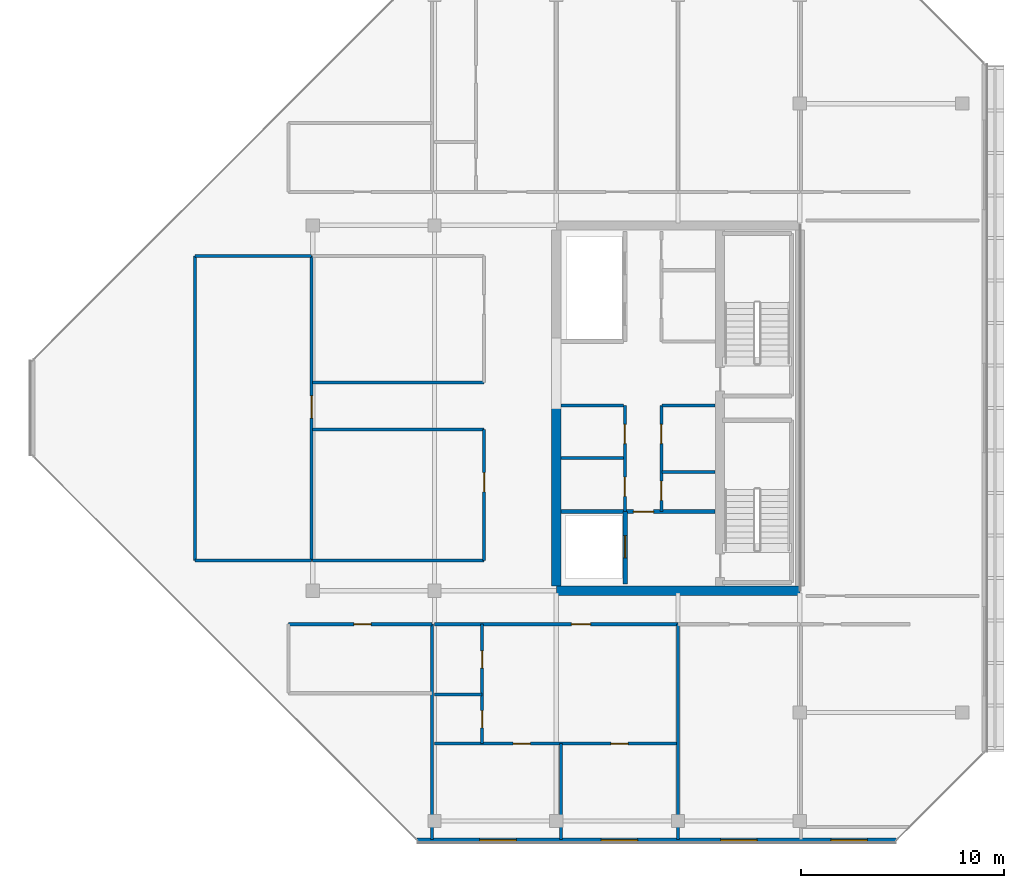
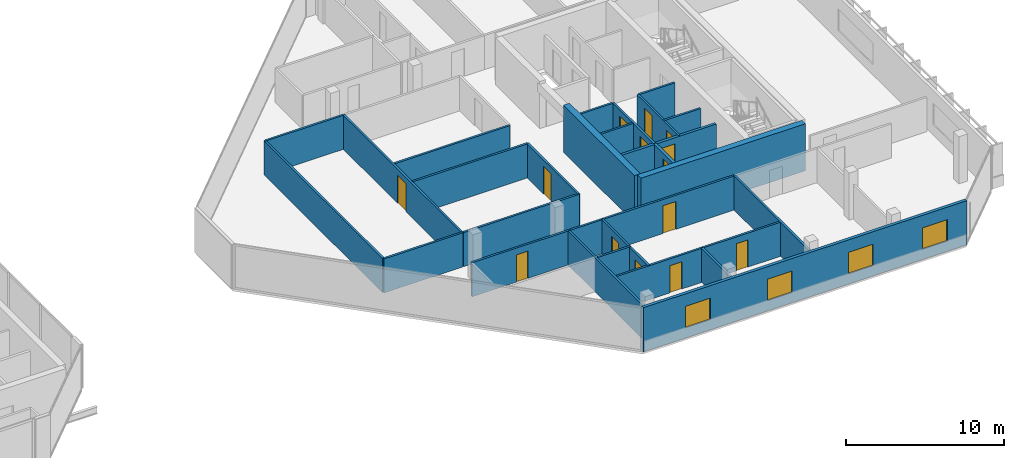
# One storey, part 22 of 28: 27 walls, 14 doors, 4 windows, 18 openings.
"""IFC4 building model written with IfcOpenShell, lengths in metres."""

from ifc_helpers import new_model, si_unit, direction, frame, frame_2d, origin, place, context, subcontext, project, spatial, rectangle, extrude, material, layer, layer_set, type_object, element, fill, save


model = new_model("IFC4")

# Units and contexts
model_context = context("Model", 3, precision=1e-05, world=origin(), true_north=direction((0.0, 1.0)))
body_context = subcontext(model_context, "Body", "Model", "MODEL_VIEW")
ifc_project = project(units=[si_unit("LENGTHUNIT", "METRE"), si_unit("AREAUNIT", "SQUARE_METRE"), si_unit("VOLUMEUNIT", "CUBIC_METRE"), si_unit("PLANEANGLEUNIT", "RADIAN"), si_unit("MASSUNIT", "GRAM", prefix="KILO")], contexts=[model_context])

# Site, building, storey
site_placement = place(None, origin())
site = spatial("IfcSite", under=ifc_project, at=site_placement, CompositionType="ELEMENT")
building_placement = place(site_placement, origin())
building = spatial("IfcBuilding", under=site, at=building_placement, Name="Tanjung Sevakor Pilgrim Tower", CompositionType="ELEMENT")
storey_placement = place(building_placement, frame((0.0, 0.0, 246.179931640625)))
storey = spatial("IfcBuildingStorey", under=building, at=storey_placement, Name="L69", CompositionType="ELEMENT", Elevation=246.179931640625)

# Walls
ifc_material_1 = material(Name="Concrete C60/75", Category="concrete")
ifc_layer_1 = layer(ifc_material_1, 0.449951171875)
ifc_layer_set_1 = layer_set([ifc_layer_1], Name="WALL-CW-450")
wall_type_1 = type_object("IfcWallType", Name="WALL-CW-450", PredefinedType="SHEAR", material=ifc_layer_set_1)
wall_1_placement = place(storey_placement, frame((78.0, 24.60009765625, 0.0), z_axis=(0.0, 0.0, 1.0), x_axis=(1.0, 0.0, 0.0)))
element("IfcWall", 1, at=wall_1_placement, inside=storey, type_object=wall_type_1, Name="L69 E Core South Shear Wall", PredefinedType="SHEAR", context=body_context, shape_type="SweptSolid", body=[
    extrude(rectangle(XDim=12.0, YDim=0.449951171875, at=frame_2d((6.0, 0.0))), origin(), (0.0, 0.0, 1.0), 3.630126953125),
])
wall_2_placement = place(storey_placement, frame((78.0, 24.824951171875, 0.0), z_axis=(0.0, 0.0, 1.0), x_axis=(0.0, 1.0, 0.0)))
element("IfcWall", 2, at=wall_2_placement, inside=storey, type_object=wall_type_1, Name="L69 E Core Inner Shear Wall South", PredefinedType="SHEAR", context=body_context, shape_type="SweptSolid", body=[
    extrude(rectangle(XDim=8.97509765625, YDim=0.449951171875, at=frame_2d((4.487548828125, 0.0))), origin(), (0.0, 0.0, 1.0), 3.630126953125),
])
ifc_material_2 = material(Name="Concrete C40/50", Category="concrete")
ifc_layer_2 = layer(ifc_material_2, 0.14990234375)
ifc_layer_set_2 = layer_set([ifc_layer_2], Name="WT-COMP-150")
wall_type_2 = type_object("IfcWallType", Name="WT-COMP-150", PredefinedType="SOLIDWALL", material=ifc_layer_set_2)
for number, where, z_axis, x_axis, name in (
    (3, (83.199951171875, 30.449951171875, 0.0), (0.0, 0.0, 1.0), (1.0, 0.0, 0.0), "L69 Partition IW-L69-016"),
    (4, (83.199951171875, 33.719970703125, 0.0), (0.0, 0.0, 1.0), (1.0, 0.0, 0.0), "L69 Partition IW-L69-017"),
):
    element("IfcWall", number, at=place(storey_placement, frame(where, z_axis=z_axis, x_axis=x_axis)), inside=storey, type_object=wall_type_2, Name=name, PredefinedType="SOLIDWALL", context=body_context, shape_type="SweptSolid", body=[
        extrude(rectangle(XDim=2.630126953125, YDim=0.14990234375, at=frame_2d((1.31494140625, 0.0))), origin(), (0.0, 0.0, 1.0), 2.6298828125),
    ])

# Wall, openings, doors
wall_3_placement = place(storey_placement, frame((83.179931640625, 28.5, 0.0), z_axis=(0.0, 0.0, 1.0), x_axis=(0.0, 1.0, 0.0)))
wall_3 = element("IfcWall", 5, at=wall_3_placement, inside=storey, type_object=wall_type_2, Name="L69 Partition IW-L69-018", PredefinedType="SOLIDWALL", context=body_context, shape_type="SweptSolid", body=[
    extrude(rectangle(XDim=5.219970703125, YDim=0.14990234375, at=frame_2d((2.60986328125, 0.0))), origin(), (0.0, 0.0, 1.0), 2.6298828125),
])
opening_1_placement = place(wall_3_placement, frame((0.550048828125, 0.0, 0.0)))
opening_1 = element("IfcOpeningElement", 6, at=opening_1_placement, cuts=wall_3, Name="Opening ID-FD2", PredefinedType="OPENING", context=body_context, shape_type="SweptSolid", body=[
    extrude(rectangle(XDim=0.949951171875, YDim=2.14990234375, at=frame_2d((0.47509765625, 1.074951171875))), frame((0.0, 0.0849609375, 0.0), z_axis=(0.0, -1.0, 0.0), x_axis=(1.0, 0.0, 0.0)), (0.0, 0.0, 1.0), 0.169921875),
])
opening_2_placement = place(wall_3_placement, frame((3.35009765625, 0.0, 0.0)))
opening_2 = element("IfcOpeningElement", 7, at=opening_2_placement, cuts=wall_3, Name="Opening ID-FD2", PredefinedType="OPENING", context=body_context, shape_type="SweptSolid", body=[
    extrude(rectangle(XDim=0.949951171875, YDim=2.14990234375, at=frame_2d((0.47509765625, 1.074951171875))), frame((0.0, 0.0849609375, 0.0), z_axis=(0.0, -1.0, 0.0), x_axis=(1.0, 0.0, 0.0)), (0.0, 0.0, 1.0), 0.169921875),
])
ifc_material_3 = material(Name="Fire-Rated Timber", Category="wood")
door_type_1 = type_object("IfcDoorType", Name="DT-FIRE-950", OperationType="NOTDEFINED", PredefinedType="DOOR", material=ifc_material_3)
door_1_placement = place(opening_1_placement, origin())
door_1 = element("IfcDoor", 8, at=door_1_placement, inside=storey, type_object=door_type_1, Name="L69 Cleaner Store Door", OperationType="SINGLE_SWING_LEFT", OverallHeight=2.14990234375, OverallWidth=0.949951171875, PredefinedType="DOOR", context=body_context, shape_type="SweptSolid", body=[
    extrude(rectangle(XDim=0.949951171875, YDim=2.14990234375, at=frame_2d((0.47509765625, 1.074951171875))), frame((0.0, 0.02490234375, 0.0), z_axis=(0.0, -1.0, 0.0), x_axis=(1.0, 0.0, 0.0)), (0.0, 0.0, 1.0), 0.050048828125),
])
fill(opening_1, door_1)
door_2_placement = place(opening_2_placement, origin())
door_2 = element("IfcDoor", 9, at=door_2_placement, inside=storey, type_object=door_type_1, Name="L69 Housekeeping Pantry Door", OperationType="SINGLE_SWING_RIGHT", OverallHeight=2.14990234375, OverallWidth=0.949951171875, PredefinedType="DOOR", context=body_context, shape_type="SweptSolid", body=[
    extrude(rectangle(XDim=0.949951171875, YDim=2.14990234375, at=frame_2d((0.47509765625, 1.074951171875))), frame((0.0, 0.02490234375, 0.0), z_axis=(0.0, -1.0, 0.0), x_axis=(1.0, 0.0, 0.0)), (0.0, 0.0, 1.0), 0.050048828125),
])
fill(opening_2, door_2)

# Walls
for number, where, z_axis, x_axis, name in (
    (10, (78.2451171875, 31.14990234375, 0.0), (0.0, 0.0, 1.0), (1.0, 0.0, 0.0), "L69 Partition IW-L69-019"),
    (11, (78.2451171875, 33.719970703125, 0.0), (0.0, 0.0, 1.0), (1.0, 0.0, 0.0), "L69 Partition IW-L69-020"),
):
    element("IfcWall", number, at=place(storey_placement, frame(where, z_axis=z_axis, x_axis=x_axis)), inside=storey, type_object=wall_type_2, Name=name, PredefinedType="SOLIDWALL", context=body_context, shape_type="SweptSolid", body=[
        extrude(rectangle(XDim=3.074951171875, YDim=0.14990234375, at=frame_2d((1.53759765625, 0.0))), origin(), (0.0, 0.0, 1.0), 2.6298828125),
    ])

# Wall, openings, doors
wall_4_placement = place(storey_placement, frame((81.3798828125, 28.5, 0.0), z_axis=(0.0, 0.0, 1.0), x_axis=(0.0, 1.0, 0.0)))
wall_4 = element("IfcWall", 12, at=wall_4_placement, inside=storey, type_object=wall_type_2, Name="L69 Partition IW-L69-021", PredefinedType="SOLIDWALL", context=body_context, shape_type="SweptSolid", body=[
    extrude(rectangle(XDim=5.219970703125, YDim=0.14990234375, at=frame_2d((2.60986328125, 0.0))), origin(), (0.0, 0.0, 1.0), 2.6298828125),
])
opening_3_placement = place(wall_4_placement, frame((0.75, 0.0, 0.0)))
opening_3 = element("IfcOpeningElement", 13, at=opening_3_placement, cuts=wall_4, Name="Opening ID-FD2", PredefinedType="OPENING", context=body_context, shape_type="SweptSolid", body=[
    extrude(rectangle(XDim=0.949951171875, YDim=2.14990234375, at=frame_2d((0.47509765625, 1.074951171875))), frame((0.0, 0.0849609375, 0.0), z_axis=(0.0, -1.0, 0.0), x_axis=(1.0, 0.0, 0.0)), (0.0, 0.0, 1.0), 0.169921875),
])
opening_4_placement = place(wall_4_placement, frame((3.35009765625, 0.0, 0.0)))
opening_4 = element("IfcOpeningElement", 14, at=opening_4_placement, cuts=wall_4, Name="Opening ID-FD2", PredefinedType="OPENING", context=body_context, shape_type="SweptSolid", body=[
    extrude(rectangle(XDim=0.949951171875, YDim=2.14990234375, at=frame_2d((0.47509765625, 1.074951171875))), frame((0.0, 0.0849609375, 0.0), z_axis=(0.0, -1.0, 0.0), x_axis=(1.0, 0.0, 0.0)), (0.0, 0.0, 1.0), 0.169921875),
])
door_3_placement = place(opening_3_placement, origin())
door_3 = element("IfcDoor", 15, at=door_3_placement, inside=storey, type_object=door_type_1, Name="L69 Accessible WC Door", OperationType="SINGLE_SWING_LEFT", OverallHeight=2.14990234375, OverallWidth=0.949951171875, PredefinedType="DOOR", context=body_context, shape_type="SweptSolid", body=[
    extrude(rectangle(XDim=0.949951171875, YDim=2.14990234375, at=frame_2d((0.47509765625, 1.074951171875))), frame((0.0, 0.02490234375, 0.0), z_axis=(0.0, -1.0, 0.0), x_axis=(1.0, 0.0, 0.0)), (0.0, 0.0, 1.0), 0.050048828125),
])
fill(opening_3, door_3)
door_4_placement = place(opening_4_placement, origin())
door_4 = element("IfcDoor", 16, at=door_4_placement, inside=storey, type_object=door_type_1, Name="L69 Core Service Door", OperationType="SINGLE_SWING_RIGHT", OverallHeight=2.14990234375, OverallWidth=0.949951171875, PredefinedType="DOOR", context=body_context, shape_type="SweptSolid", body=[
    extrude(rectangle(XDim=0.949951171875, YDim=2.14990234375, at=frame_2d((0.47509765625, 1.074951171875))), frame((0.0, 0.02490234375, 0.0), z_axis=(0.0, -1.0, 0.0), x_axis=(1.0, 0.0, 0.0)), (0.0, 0.0, 1.0), 0.050048828125),
])
fill(opening_4, door_4)

# Wall, opening, door
wall_5_placement = place(storey_placement, frame((64.800048828125, 22.949951171875, 0.0), z_axis=(0.0, 0.0, 1.0), x_axis=(1.0, 0.0, 0.0)))
wall_5 = element("IfcWall", 17, at=wall_5_placement, inside=storey, type_object=wall_type_2, Name="L69 Partition IW-L69-036", PredefinedType="SOLIDWALL", context=body_context, shape_type="SweptSolid", body=[
    extrude(rectangle(XDim=7.079833984375, YDim=0.14990234375, at=frame_2d((3.5400390625, 0.0))), origin(), (0.0, 0.0, 1.0), 2.6298828125),
])
opening_5_placement = place(wall_5_placement, frame((3.22509765625, 0.0, 0.0)))
opening_5 = element("IfcOpeningElement", 18, at=opening_5_placement, cuts=wall_5, Name="Opening ID-WC1", PredefinedType="OPENING", context=body_context, shape_type="SweptSolid", body=[
    extrude(rectangle(XDim=0.85009765625, YDim=2.10009765625, at=frame_2d((0.425048828125, 1.050048828125))), frame((0.0, 0.0849609375, 0.0), z_axis=(0.0, -1.0, 0.0), x_axis=(1.0, 0.0, 0.0)), (0.0, 0.0, 1.0), 0.169921875),
])
ifc_material_4 = material(Name="Moisture-Resistant Timber", Category="wood")
door_type_2 = type_object("IfcDoorType", Name="DT-INT-850", OperationType="NOTDEFINED", PredefinedType="DOOR", material=ifc_material_4)
door_5_placement = place(opening_5_placement, origin())
door_5 = element("IfcDoor", 19, at=door_5_placement, inside=storey, type_object=door_type_2, Name="L69 SW Crown Suite Door", OperationType="SINGLE_SWING_RIGHT", OverallHeight=2.10009765625, OverallWidth=0.85009765625, PredefinedType="DOOR", context=body_context, shape_type="SweptSolid", body=[
    extrude(rectangle(XDim=0.85009765625, YDim=2.10009765625, at=frame_2d((0.425048828125, 1.050048828125))), frame((0.0, 0.02490234375, 0.0), z_axis=(0.0, -1.0, 0.0), x_axis=(1.0, 0.0, 0.0)), (0.0, 0.0, 1.0), 0.050048828125),
])
fill(opening_5, door_5)

# Walls
for number, where, z_axis, x_axis, name in (
    (20, (71.8798828125, 12.340087890625, 0.0), (0.0, 0.0, 1.0), (0.0, 1.0, 0.0), "L69 Partition IW-L69-038"),
    (21, (84.0, 12.340087890625, 0.0), (0.0, 0.0, 1.0), (0.0, 1.0, 0.0), "L69 Partition IW-L69-051"),
):
    element("IfcWall", number, at=place(storey_placement, frame(where, z_axis=z_axis, x_axis=x_axis)), inside=storey, type_object=wall_type_2, Name=name, PredefinedType="SOLIDWALL", context=body_context, shape_type="SweptSolid", body=[
        extrude(rectangle(XDim=10.60986328125, YDim=0.14990234375, at=frame_2d((5.304931640625, 0.0))), origin(), (0.0, 0.0, 1.0), 2.6298828125),
    ])

# Wall, opening, door
wall_6_placement = place(storey_placement, frame((72.0, 22.949951171875, 0.0), z_axis=(0.0, 0.0, 1.0), x_axis=(1.0, 0.0, 0.0)))
wall_6 = element("IfcWall", 22, at=wall_6_placement, inside=storey, type_object=wall_type_2, Name="L69 Partition IW-L69-056", PredefinedType="SOLIDWALL", context=body_context, shape_type="SweptSolid", body=[
    extrude(rectangle(XDim=12.0, YDim=0.14990234375, at=frame_2d((6.0, 0.0))), origin(), (0.0, 0.0, 1.0), 2.6298828125),
])
opening_6_placement = place(wall_6_placement, frame((6.739990234375, 0.0, 0.0)))
opening_6 = element("IfcOpeningElement", 23, at=opening_6_placement, cuts=wall_6, Name="Opening ID-FD2", PredefinedType="OPENING", context=body_context, shape_type="SweptSolid", body=[
    extrude(rectangle(XDim=0.949951171875, YDim=2.14990234375, at=frame_2d((0.47509765625, 1.074951171875))), frame((0.0, 0.0849609375, 0.0), z_axis=(0.0, -1.0, 0.0), x_axis=(1.0, 0.0, 0.0)), (0.0, 0.0, 1.0), 0.169921875),
])
door_6_placement = place(opening_6_placement, origin())
door_6 = element("IfcDoor", 24, at=door_6_placement, inside=storey, type_object=door_type_1, Name="Suite Entrance", OperationType="SINGLE_SWING_LEFT", OverallHeight=2.14990234375, OverallWidth=0.949951171875, PredefinedType="DOOR", context=body_context, shape_type="SweptSolid", body=[
    extrude(rectangle(XDim=0.949951171875, YDim=2.14990234375, at=frame_2d((0.47509765625, 1.074951171875))), frame((0.0, 0.02490234375, 0.0), z_axis=(0.0, -1.0, 0.0), x_axis=(1.0, 0.0, 0.0)), (0.0, 0.0, 1.0), 0.050048828125),
])
fill(opening_6, door_6)

# Walls
for number, where, z_axis, x_axis, name in (
    (25, (60.199951171875, 26.10009765625, 0.0), (0.0, 0.0, 1.0), (1.0, 0.0, 0.0), "L69 Partition IW-L69-065"),
    (26, (60.199951171875, 41.10009765625, 0.0), (0.0, 0.0, 1.0), (1.0, 0.0, 0.0), "L69 Partition IW-L69-066"),
):
    element("IfcWall", number, at=place(storey_placement, frame(where, z_axis=z_axis, x_axis=x_axis)), inside=storey, type_object=wall_type_2, Name=name, PredefinedType="SOLIDWALL", context=body_context, shape_type="SweptSolid", body=[
        extrude(rectangle(XDim=5.75, YDim=0.14990234375, at=frame_2d((2.875, 0.0))), origin(), (0.0, 0.0, 1.0), 2.6298828125),
    ])
wall_7_placement = place(storey_placement, frame((60.199951171875, 26.10009765625, 0.0), z_axis=(0.0, 0.0, 1.0), x_axis=(0.0, 1.0, 0.0)))
element("IfcWall", 27, at=wall_7_placement, inside=storey, type_object=wall_type_2, Name="L69 Partition IW-L69-067", PredefinedType="SOLIDWALL", context=body_context, shape_type="SweptSolid", body=[
    extrude(rectangle(XDim=15.0, YDim=0.14990234375, at=frame_2d((7.5, 0.0))), origin(), (0.0, 0.0, 1.0), 2.6298828125),
])

# Wall, opening, door
wall_8_placement = place(storey_placement, frame((65.949951171875, 26.10009765625, 0.0), z_axis=(0.0, 0.0, 1.0), x_axis=(0.0, 1.0, 0.0)))
wall_8 = element("IfcWall", 28, at=wall_8_placement, inside=storey, type_object=wall_type_2, Name="L69 Partition IW-L69-068", PredefinedType="SOLIDWALL", context=body_context, shape_type="SweptSolid", body=[
    extrude(rectangle(XDim=15.0, YDim=0.14990234375, at=frame_2d((7.5, 0.0))), origin(), (0.0, 0.0, 1.0), 2.6298828125),
])
opening_7_placement = place(wall_8_placement, frame((7.0, 0.0, 0.0)))
opening_7 = element("IfcOpeningElement", 29, at=opening_7_placement, cuts=wall_8, Name="Opening ID-RM2", PredefinedType="OPENING", context=body_context, shape_type="SweptSolid", body=[
    extrude(rectangle(XDim=1.10009765625, YDim=2.14990234375, at=frame_2d((0.550048828125, 1.074951171875))), frame((0.0, 0.0849609375, 0.0), z_axis=(0.0, -1.0, 0.0), x_axis=(1.0, 0.0, 0.0)), (0.0, 0.0, 1.0), 0.169921875),
])
ifc_material_5 = material(Name="Hardwood Timber", Category="wood")
door_type_3 = type_object("IfcDoorType", Name="DT-INT-1100", OperationType="NOTDEFINED", PredefinedType="DOOR", material=ifc_material_5)
door_7_placement = place(opening_7_placement, origin())
door_7 = element("IfcDoor", 30, at=door_7_placement, inside=storey, type_object=door_type_3, Name="L69 West Cleft Sanctuary Door", OperationType="SINGLE_SWING_RIGHT", OverallHeight=2.14990234375, OverallWidth=1.10009765625, PredefinedType="DOOR", context=body_context, shape_type="SweptSolid", body=[
    extrude(rectangle(XDim=1.10009765625, YDim=2.14990234375, at=frame_2d((0.550048828125, 1.074951171875))), frame((0.0, 0.02490234375, 0.0), z_axis=(0.0, -1.0, 0.0), x_axis=(1.0, 0.0, 0.0)), (0.0, 0.0, 1.0), 0.050048828125),
])
fill(opening_7, door_7)

# Walls
for number, where, z_axis, x_axis, name in (
    (31, (66.0, 26.10009765625, 0.0), (0.0, 0.0, 1.0), (1.0, 0.0, 0.0), "L69 Partition IW-L69-069"),
    (32, (66.0, 32.550048828125, 0.0), (0.0, 0.0, 1.0), (1.0, 0.0, 0.0), "L69 Partition IW-L69-070"),
):
    element("IfcWall", number, at=place(storey_placement, frame(where, z_axis=z_axis, x_axis=x_axis)), inside=storey, type_object=wall_type_2, Name=name, PredefinedType="SOLIDWALL", context=body_context, shape_type="SweptSolid", body=[
        extrude(rectangle(XDim=8.449951171875, YDim=0.14990234375, at=frame_2d((4.22509765625, 0.0))), origin(), (0.0, 0.0, 1.0), 2.6298828125),
    ])

# Wall, opening, door
wall_9_placement = place(storey_placement, frame((74.449951171875, 26.10009765625, 0.0), z_axis=(0.0, 0.0, 1.0), x_axis=(0.0, 1.0, 0.0)))
wall_9 = element("IfcWall", 33, at=wall_9_placement, inside=storey, type_object=wall_type_2, Name="L69 Partition IW-L69-071", PredefinedType="SOLIDWALL", context=body_context, shape_type="SweptSolid", body=[
    extrude(rectangle(XDim=6.449951171875, YDim=0.14990234375, at=frame_2d((3.22509765625, 0.0))), origin(), (0.0, 0.0, 1.0), 2.6298828125),
])
opening_8_placement = place(wall_9_placement, frame((3.375, 0.0, 0.0)))
opening_8 = element("IfcOpeningElement", 34, at=opening_8_placement, cuts=wall_9, Name="Opening ID-RM1", PredefinedType="OPENING", context=body_context, shape_type="SweptSolid", body=[
    extrude(rectangle(XDim=0.949951171875, YDim=2.14990234375, at=frame_2d((0.47509765625, 1.074951171875))), frame((0.0, 0.0849609375, 0.0), z_axis=(0.0, -1.0, 0.0), x_axis=(1.0, 0.0, 0.0)), (0.0, 0.0, 1.0), 0.169921875),
])
ifc_material_6 = material(Name="Hardwood Timber", Category="wood")
door_type_4 = type_object("IfcDoorType", Name="DT-INT-950", OperationType="NOTDEFINED", PredefinedType="DOOR", material=ifc_material_6)
door_8_placement = place(opening_8_placement, origin())
door_8 = element("IfcDoor", 35, at=door_8_placement, inside=storey, type_object=door_type_4, Name="L69 East Peak Seminar Door", OperationType="SINGLE_SWING_LEFT", OverallHeight=2.14990234375, OverallWidth=0.949951171875, PredefinedType="DOOR", context=body_context, shape_type="SweptSolid", body=[
    extrude(rectangle(XDim=0.949951171875, YDim=2.14990234375, at=frame_2d((0.47509765625, 1.074951171875))), frame((0.0, 0.02490234375, 0.0), z_axis=(0.0, -1.0, 0.0), x_axis=(1.0, 0.0, 0.0)), (0.0, 0.0, 1.0), 0.050048828125),
])
fill(opening_8, door_8)

# Wall
wall_10_placement = place(storey_placement, frame((66.0, 34.85009765625, 0.0), z_axis=(0.0, 0.0, 1.0), x_axis=(1.0, 0.0, 0.0)))
element("IfcWall", 36, at=wall_10_placement, inside=storey, type_object=wall_type_2, Name="L69 Partition IW-L69-072", PredefinedType="SOLIDWALL", context=body_context, shape_type="SweptSolid", body=[
    extrude(rectangle(XDim=8.449951171875, YDim=0.14990234375, at=frame_2d((4.22509765625, 0.0))), origin(), (0.0, 0.0, 1.0), 2.6298828125),
])

# Wall, openings, windows
ifc_material_7 = material(Name="Precast concrete C45/55", Category="concrete")
ifc_layer_3 = layer(ifc_material_7, 0.219970703125)
ifc_layer_set_3 = layer_set([ifc_layer_3], Name="WT-EW-STN4")
wall_type_3 = type_object("IfcWallType", Name="WT-EW-STN4", PredefinedType="SOLIDWALL", material=ifc_layer_set_3)
wall_11_placement = place(storey_placement, frame((71.1455078125, 12.31005859375, 0.0), z_axis=(0.0, 0.0, 1.0), x_axis=(1.0, 0.0, 0.0)))
wall_11 = element("IfcWall", 37, at=wall_11_placement, inside=storey, type_object=wall_type_3, Name="L69 EAST Exterior Wall 1", PredefinedType="SOLIDWALL", context=body_context, shape_type="SweptSolid", body=[
    extrude(rectangle(XDim=23.60888671875, YDim=0.219970703125, at=frame_2d((11.804443359375, 0.0))), origin(), (0.0, 0.0, 1.0), 3.409912109375),
])
opening_9_placement = place(wall_11_placement, frame((20.381591796875, 0.0, 0.780029296875)))
opening_9 = element("IfcOpeningElement", 38, at=opening_9_placement, cuts=wall_11, Name="Opening WN-Z3-1660", PredefinedType="OPENING", context=body_context, shape_type="SweptSolid", body=[
    extrude(rectangle(XDim=1.800048828125, YDim=1.659912109375, at=frame_2d((0.89990234375, 0.830078125))), frame((0.0, 0.119873046875, 0.0), z_axis=(0.0, -1.0, 0.0), x_axis=(1.0, 0.0, 0.0)), (0.0, 0.0, 1.0), 0.239990234375),
])
opening_10_placement = place(wall_11_placement, frame((3.08447265625, 0.0, 0.780029296875)))
opening_10 = element("IfcOpeningElement", 39, at=opening_10_placement, cuts=wall_11, Name="Opening WN-Z3-1660", PredefinedType="OPENING", context=body_context, shape_type="SweptSolid", body=[
    extrude(rectangle(XDim=1.800048828125, YDim=1.659912109375, at=frame_2d((0.89990234375, 0.830078125))), frame((0.0, 0.119873046875, 0.0), z_axis=(0.0, -1.0, 0.0), x_axis=(1.0, 0.0, 0.0)), (0.0, 0.0, 1.0), 0.239990234375),
])
opening_11_placement = place(wall_11_placement, frame((9.064453125, 0.0, 0.780029296875)))
opening_11 = element("IfcOpeningElement", 40, at=opening_11_placement, cuts=wall_11, Name="Opening WN-Z3-1660", PredefinedType="OPENING", context=body_context, shape_type="SweptSolid", body=[
    extrude(rectangle(XDim=1.800048828125, YDim=1.659912109375, at=frame_2d((0.89990234375, 0.830078125))), frame((0.0, 0.119873046875, 0.0), z_axis=(0.0, -1.0, 0.0), x_axis=(1.0, 0.0, 0.0)), (0.0, 0.0, 1.0), 0.239990234375),
])
opening_12_placement = place(wall_11_placement, frame((14.954345703125, 0.0, 0.780029296875)))
opening_12 = element("IfcOpeningElement", 41, at=opening_12_placement, cuts=wall_11, Name="Opening WN-Z3-1660", PredefinedType="OPENING", context=body_context, shape_type="SweptSolid", body=[
    extrude(rectangle(XDim=1.800048828125, YDim=1.659912109375, at=frame_2d((0.89990234375, 0.830078125))), frame((0.0, 0.119873046875, 0.0), z_axis=(0.0, -1.0, 0.0), x_axis=(1.0, 0.0, 0.0)), (0.0, 0.0, 1.0), 0.239990234375),
])
ifc_material_8 = material(Name="Thermally Broken Aluminium and Low-E Glass", Category="aluminium")
window_type = type_object("IfcWindowType", Name="WTYP-WN-Z3-1660", PartitioningType="DOUBLE_PANEL_VERTICAL", PredefinedType="WINDOW", material=ifc_material_8)
window_1_placement = place(opening_9_placement, origin())
window_1 = element("IfcWindow", 42, at=window_1_placement, inside=storey, type_object=window_type, Name="L69 Facade Window 01", OverallHeight=1.659912109375, OverallWidth=1.800048828125, PartitioningType="SINGLE_PANEL", PredefinedType="WINDOW", context=body_context, shape_type="SweptSolid", body=[
    extrude(rectangle(XDim=1.800048828125, YDim=1.659912109375, at=frame_2d((0.89990234375, 0.830078125))), frame((0.0, 0.030029296875, 0.0), z_axis=(0.0, -1.0, 0.0), x_axis=(1.0, 0.0, 0.0)), (0.0, 0.0, 1.0), 0.06005859375),
])
fill(opening_9, window_1)
window_2_placement = place(opening_10_placement, origin())
window_2 = element("IfcWindow", 43, at=window_2_placement, inside=storey, type_object=window_type, Name="L69 Facade Window 02", OverallHeight=1.659912109375, OverallWidth=1.800048828125, PartitioningType="SINGLE_PANEL", PredefinedType="WINDOW", context=body_context, shape_type="SweptSolid", body=[
    extrude(rectangle(XDim=1.800048828125, YDim=1.659912109375, at=frame_2d((0.89990234375, 0.830078125))), frame((0.0, 0.030029296875, 0.0), z_axis=(0.0, -1.0, 0.0), x_axis=(1.0, 0.0, 0.0)), (0.0, 0.0, 1.0), 0.06005859375),
])
fill(opening_10, window_2)
window_3_placement = place(opening_11_placement, origin())
window_3 = element("IfcWindow", 44, at=window_3_placement, inside=storey, type_object=window_type, Name="L69 Facade Window 03", OverallHeight=1.659912109375, OverallWidth=1.800048828125, PartitioningType="SINGLE_PANEL", PredefinedType="WINDOW", context=body_context, shape_type="SweptSolid", body=[
    extrude(rectangle(XDim=1.800048828125, YDim=1.659912109375, at=frame_2d((0.89990234375, 0.830078125))), frame((0.0, 0.030029296875, 0.0), z_axis=(0.0, -1.0, 0.0), x_axis=(1.0, 0.0, 0.0)), (0.0, 0.0, 1.0), 0.06005859375),
])
fill(opening_11, window_3)
window_4_placement = place(opening_12_placement, origin())
window_4 = element("IfcWindow", 45, at=window_4_placement, inside=storey, type_object=window_type, Name="L69 Facade Window 04", OverallHeight=1.659912109375, OverallWidth=1.800048828125, PartitioningType="SINGLE_PANEL", PredefinedType="WINDOW", context=body_context, shape_type="SweptSolid", body=[
    extrude(rectangle(XDim=1.800048828125, YDim=1.659912109375, at=frame_2d((0.89990234375, 0.830078125))), frame((0.0, 0.030029296875, 0.0), z_axis=(0.0, -1.0, 0.0), x_axis=(1.0, 0.0, 0.0)), (0.0, 0.0, 1.0), 0.06005859375),
])
fill(opening_12, window_4)

# Wall, opening, door
ifc_material_9 = material(Name="Concrete C40/50", Category="concrete")
ifc_layer_4 = layer(ifc_material_9, 0.199951171875)
ifc_layer_set_4 = layer_set([ifc_layer_4], Name="WT-FPRT-200")
wall_type_4 = type_object("IfcWallType", Name="WT-FPRT-200", PredefinedType="SOLIDWALL", material=ifc_layer_set_4)
wall_12_placement = place(storey_placement, frame((81.39990234375, 24.919921875, 0.0), z_axis=(0.0, 0.0, 1.0), x_axis=(0.0, 1.0, 0.0)))
wall_12 = element("IfcWall", 46, at=wall_12_placement, inside=storey, type_object=wall_type_4, Name="L69 Partition IW-L69-014", PredefinedType="SOLIDWALL", context=body_context, shape_type="SweptSolid", body=[
    extrude(rectangle(XDim=3.580078125, YDim=0.199951171875, at=frame_2d((1.7900390625, 0.0))), origin(), (0.0, 0.0, 1.0), 2.6298828125),
])
opening_13_placement = place(wall_12_placement, frame((1.300048828125, 0.0, 0.0)))
opening_13 = element("IfcOpeningElement", 47, at=opening_13_placement, cuts=wall_12, Name="Opening LD-1100", PredefinedType="OPENING", context=body_context, shape_type="SweptSolid", body=[
    extrude(rectangle(XDim=1.10009765625, YDim=2.199951171875, at=frame_2d((0.550048828125, 1.10009765625))), frame((0.0, 0.10986328125, 0.0), z_axis=(0.0, -1.0, 0.0), x_axis=(1.0, 0.0, 0.0)), (0.0, 0.0, 1.0), 0.219970703125),
])
ifc_material_10 = material(Name="Brushed Stainless Steel S355J2", Category="steel")
door_type_5 = type_object("IfcDoorType", Name="DT-LIFT-1100", OperationType="SLIDING_TO_LEFT", PredefinedType="DOOR", material=ifc_material_10)
door_9_placement = place(opening_13_placement, origin())
door_9 = element("IfcDoor", 48, at=door_9_placement, inside=storey, type_object=door_type_5, Name="LD-FL-E", OperationType="SLIDING_TO_LEFT", OverallHeight=2.199951171875, OverallWidth=1.10009765625, PredefinedType="DOOR", context=body_context, shape_type="SweptSolid", body=[
    extrude(rectangle(XDim=1.10009765625, YDim=2.199951171875, at=frame_2d((0.550048828125, 1.10009765625))), frame((0.0, 0.02490234375, 0.0), z_axis=(0.0, -1.0, 0.0), x_axis=(1.0, 0.0, 0.0)), (0.0, 0.0, 1.0), 0.050048828125),
])
fill(opening_13, door_9)

wall_13_placement = place(storey_placement, frame((78.2451171875, 28.5, 0.0), z_axis=(0.0, 0.0, 1.0), x_axis=(1.0, 0.0, 0.0)))
wall_13 = element("IfcWall", 49, at=wall_13_placement, inside=storey, type_object=wall_type_4, Name="L69 Partition IW-L69-015", PredefinedType="SOLIDWALL", context=body_context, shape_type="SweptSolid", body=[
    extrude(rectangle(XDim=7.5849609375, YDim=0.199951171875, at=frame_2d((3.79248046875, 0.0))), origin(), (0.0, 0.0, 1.0), 2.6298828125),
])
opening_14_placement = place(wall_13_placement, frame((3.554931640625, 0.0, 0.0)))
opening_14 = element("IfcOpeningElement", 50, at=opening_14_placement, cuts=wall_13, Name="Opening ID-FD1", PredefinedType="OPENING", context=body_context, shape_type="SweptSolid", body=[
    extrude(rectangle(XDim=1.0, YDim=2.14990234375, at=frame_2d((0.5, 1.074951171875))), frame((0.0, 0.10986328125, 0.0), z_axis=(0.0, -1.0, 0.0), x_axis=(1.0, 0.0, 0.0)), (0.0, 0.0, 1.0), 0.219970703125),
])
ifc_material_11 = material(Name="Fire-Rated Steel S355J2", Category="steel")
door_type_6 = type_object("IfcDoorType", Name="DT-FIRE-1000", OperationType="NOTDEFINED", PredefinedType="DOOR", material=ifc_material_11)
door_10_placement = place(opening_14_placement, origin())
door_10 = element("IfcDoor", 51, at=door_10_placement, inside=storey, type_object=door_type_6, Name="Fire Lobby Door E", OperationType="SINGLE_SWING_RIGHT", OverallHeight=2.14990234375, OverallWidth=1.0, PredefinedType="DOOR", context=body_context, shape_type="SweptSolid", body=[
    extrude(rectangle(XDim=1.0, YDim=2.14990234375, at=frame_2d((0.5, 1.074951171875))), frame((0.0, 0.02490234375, 0.0), z_axis=(0.0, -1.0, 0.0), x_axis=(1.0, 0.0, 0.0)), (0.0, 0.0, 1.0), 0.050048828125),
])
fill(opening_14, door_10)

# Wall
ifc_material_12 = material(Name="Gypsum Board Partition", Category="gypsum board")
ifc_layer_5 = layer(ifc_material_12, 0.14990234375)
ifc_layer_set_5 = layer_set([ifc_layer_5], Name="WT-PART-150")
wall_type_5 = type_object("IfcWallType", Name="WT-PART-150", PredefinedType="PARTITIONING", material=ifc_layer_set_5)
wall_14_placement = place(storey_placement, frame((72.0, 19.4794921875, 0.0), z_axis=(0.0, 0.0, 1.0), x_axis=(1.0, 0.0, 0.0)))
element("IfcWall", 52, at=wall_14_placement, inside=storey, type_object=wall_type_5, Name="L69 Partition IW-L69-052", PredefinedType="PARTITIONING", context=body_context, shape_type="SweptSolid", body=[
    extrude(rectangle(XDim=2.35009765625, YDim=0.14990234375, at=frame_2d((1.175048828125, 0.0))), origin(), (0.0, 0.0, 1.0), 2.6298828125),
])

# Wall, openings, doors
wall_15_placement = place(storey_placement, frame((74.35009765625, 17.067626953125, 0.0), z_axis=(0.0, 0.0, 1.0), x_axis=(0.0, 1.0, 0.0)))
wall_15 = element("IfcWall", 53, at=wall_15_placement, inside=storey, type_object=wall_type_5, Name="L69 Partition IW-L69-053", PredefinedType="PARTITIONING", context=body_context, shape_type="SweptSolid", body=[
    extrude(rectangle(XDim=5.88232421875, YDim=0.14990234375, at=frame_2d((2.941162109375, 0.0))), origin(), (0.0, 0.0, 1.0), 2.6298828125),
])
opening_15_placement = place(wall_15_placement, frame((0.781005859375, 0.0, 0.0)))
opening_15 = element("IfcOpeningElement", 54, at=opening_15_placement, cuts=wall_15, Name="Opening ID-WC1", PredefinedType="OPENING", context=body_context, shape_type="SweptSolid", body=[
    extrude(rectangle(XDim=0.85009765625, YDim=2.10009765625, at=frame_2d((0.425048828125, 1.050048828125))), frame((0.0, 0.0849609375, 0.0), z_axis=(0.0, -1.0, 0.0), x_axis=(1.0, 0.0, 0.0)), (0.0, 0.0, 1.0), 0.169921875),
])
opening_16_placement = place(wall_15_placement, frame((3.72216796875, 0.0, 0.0)))
opening_16 = element("IfcOpeningElement", 55, at=opening_16_placement, cuts=wall_15, Name="Opening ID-WC1", PredefinedType="OPENING", context=body_context, shape_type="SweptSolid", body=[
    extrude(rectangle(XDim=0.85009765625, YDim=2.10009765625, at=frame_2d((0.425048828125, 1.050048828125))), frame((0.0, 0.0849609375, 0.0), z_axis=(0.0, -1.0, 0.0), x_axis=(1.0, 0.0, 0.0)), (0.0, 0.0, 1.0), 0.169921875),
])
door_11_placement = place(opening_15_placement, origin())
door_11 = element("IfcDoor", 56, at=door_11_placement, inside=storey, type_object=door_type_2, Name="Suite Bathroom Door", OperationType="SINGLE_SWING_LEFT", OverallHeight=2.10009765625, OverallWidth=0.85009765625, PredefinedType="DOOR", context=body_context, shape_type="SweptSolid", body=[
    extrude(rectangle(XDim=0.85009765625, YDim=2.10009765625, at=frame_2d((0.425048828125, 1.050048828125))), frame((0.0, 0.02490234375, 0.0), z_axis=(0.0, -1.0, 0.0), x_axis=(1.0, 0.0, 0.0)), (0.0, 0.0, 1.0), 0.050048828125),
])
fill(opening_15, door_11)
door_12_placement = place(opening_16_placement, origin())
door_12 = element("IfcDoor", 57, at=door_12_placement, inside=storey, type_object=door_type_2, Name="Suite Kitchenette Door", OperationType="SINGLE_SWING_RIGHT", OverallHeight=2.10009765625, OverallWidth=0.85009765625, PredefinedType="DOOR", context=body_context, shape_type="SweptSolid", body=[
    extrude(rectangle(XDim=0.85009765625, YDim=2.10009765625, at=frame_2d((0.425048828125, 1.050048828125))), frame((0.0, 0.02490234375, 0.0), z_axis=(0.0, -1.0, 0.0), x_axis=(1.0, 0.0, 0.0)), (0.0, 0.0, 1.0), 0.050048828125),
])
fill(opening_16, door_12)

# Wall
wall_16_placement = place(storey_placement, frame((78.239990234375, 12.340087890625, 0.0), z_axis=(0.0, 0.0, 1.0), x_axis=(0.0, 1.0, 0.0)))
element("IfcWall", 58, at=wall_16_placement, inside=storey, type_object=wall_type_5, Name="L69 Partition IW-L69-054", PredefinedType="PARTITIONING", context=body_context, shape_type="SweptSolid", body=[
    extrude(rectangle(XDim=4.7275390625, YDim=0.14990234375, at=frame_2d((2.36376953125, 0.0))), origin(), (0.0, 0.0, 1.0), 2.6298828125),
])

# Wall, openings, doors
wall_17_placement = place(storey_placement, frame((72.0, 17.067626953125, 0.0), z_axis=(0.0, 0.0, 1.0), x_axis=(1.0, 0.0, 0.0)))
wall_17 = element("IfcWall", 59, at=wall_17_placement, inside=storey, type_object=wall_type_5, Name="L69 Partition IW-L69-055", PredefinedType="PARTITIONING", context=body_context, shape_type="SweptSolid", body=[
    extrude(rectangle(XDim=12.0, YDim=0.14990234375, at=frame_2d((6.0, 0.0))), origin(), (0.0, 0.0, 1.0), 2.6298828125),
])
opening_17_placement = place(wall_17_placement, frame((3.8701171875, 0.0, 0.0)))
opening_17 = element("IfcOpeningElement", 60, at=opening_17_placement, cuts=wall_17, Name="Opening ID-WC1", PredefinedType="OPENING", context=body_context, shape_type="SweptSolid", body=[
    extrude(rectangle(XDim=0.85009765625, YDim=2.10009765625, at=frame_2d((0.425048828125, 1.050048828125))), frame((0.0, 0.0849609375, 0.0), z_axis=(0.0, -1.0, 0.0), x_axis=(1.0, 0.0, 0.0)), (0.0, 0.0, 1.0), 0.169921875),
])
opening_18_placement = place(wall_17_placement, frame((8.695068359375, 0.0, 0.0)))
opening_18 = element("IfcOpeningElement", 61, at=opening_18_placement, cuts=wall_17, Name="Opening ID-WC1", PredefinedType="OPENING", context=body_context, shape_type="SweptSolid", body=[
    extrude(rectangle(XDim=0.85009765625, YDim=2.10009765625, at=frame_2d((0.425048828125, 1.050048828125))), frame((0.0, 0.0849609375, 0.0), z_axis=(0.0, -1.0, 0.0), x_axis=(1.0, 0.0, 0.0)), (0.0, 0.0, 1.0), 0.169921875),
])
door_13_placement = place(opening_17_placement, origin())
door_13 = element("IfcDoor", 62, at=door_13_placement, inside=storey, type_object=door_type_2, Name="Suite Bedroom 1 Door", OperationType="SINGLE_SWING_LEFT", OverallHeight=2.10009765625, OverallWidth=0.85009765625, PredefinedType="DOOR", context=body_context, shape_type="SweptSolid", body=[
    extrude(rectangle(XDim=0.85009765625, YDim=2.10009765625, at=frame_2d((0.425048828125, 1.050048828125))), frame((0.0, 0.02490234375, 0.0), z_axis=(0.0, -1.0, 0.0), x_axis=(1.0, 0.0, 0.0)), (0.0, 0.0, 1.0), 0.050048828125),
])
fill(opening_17, door_13)
door_14_placement = place(opening_18_placement, origin())
door_14 = element("IfcDoor", 63, at=door_14_placement, inside=storey, type_object=door_type_2, Name="Suite Bedroom 2 Door", OperationType="SINGLE_SWING_RIGHT", OverallHeight=2.10009765625, OverallWidth=0.85009765625, PredefinedType="DOOR", context=body_context, shape_type="SweptSolid", body=[
    extrude(rectangle(XDim=0.85009765625, YDim=2.10009765625, at=frame_2d((0.425048828125, 1.050048828125))), frame((0.0, 0.02490234375, 0.0), z_axis=(0.0, -1.0, 0.0), x_axis=(1.0, 0.0, 0.0)), (0.0, 0.0, 1.0), 0.050048828125),
])
fill(opening_18, door_14)

save(model, "model.ifc")
